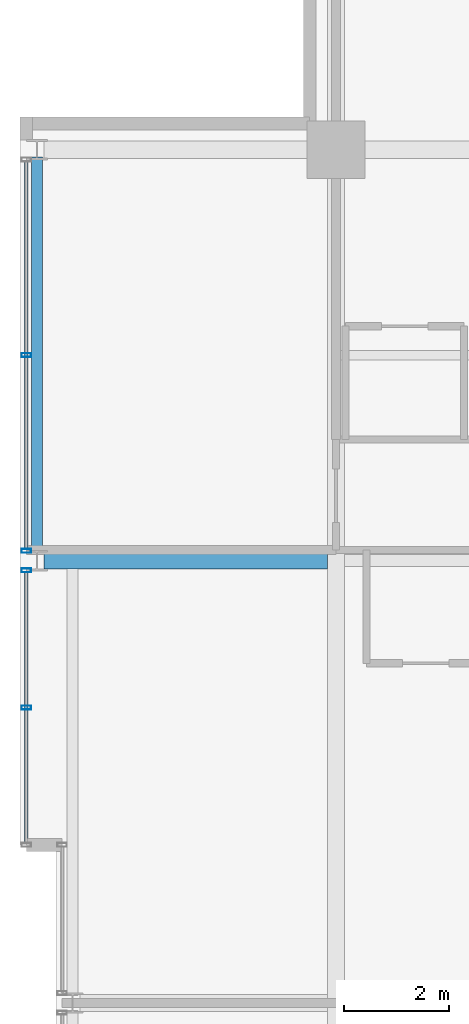
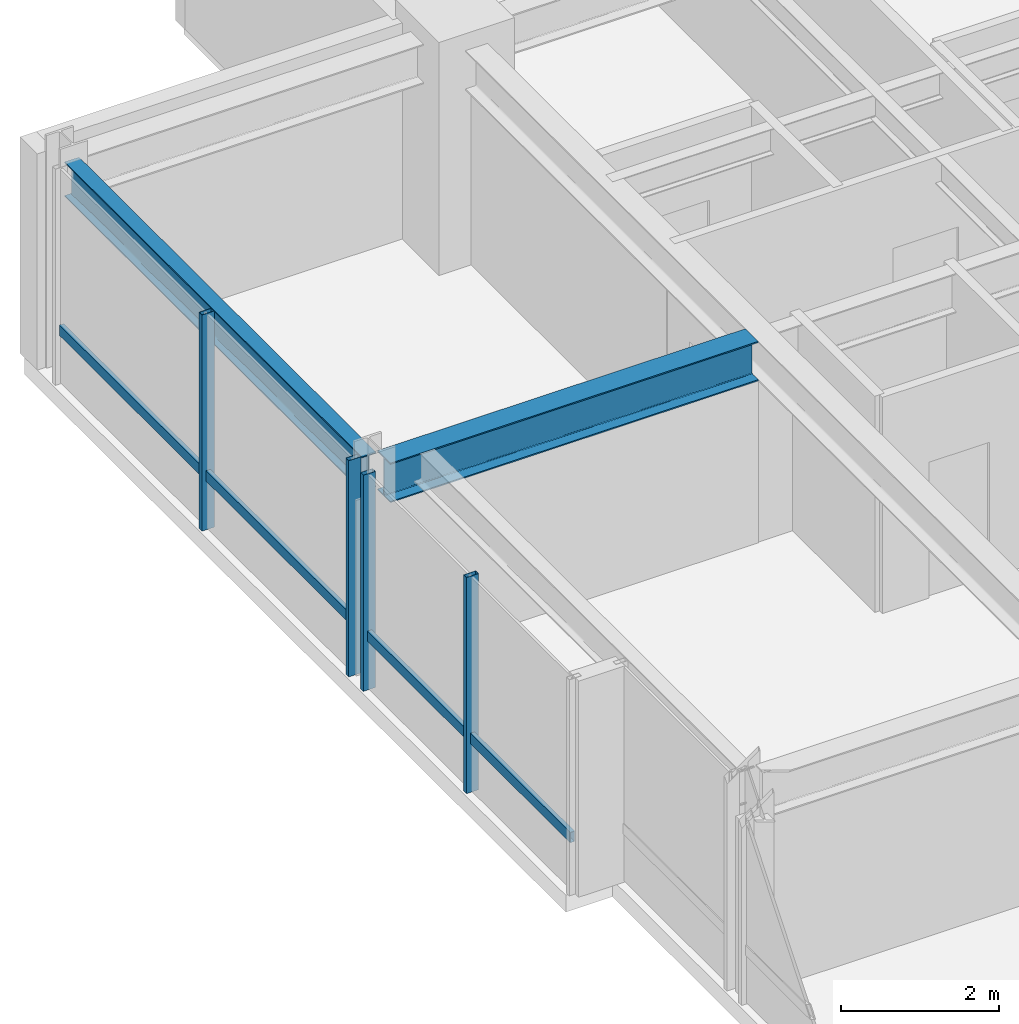
# One storey, part 18 of 34: 6 members, 2 beams, 2 elements without a shape of their own.
"""IFC4 building model written with IfcOpenShell, lengths in metres."""

from ifc_helpers import new_model, si_unit, direction, frame, origin, origin_2d, place, context, subcontext, project, spatial, hollow_rectangle, i_section, extrude, material, layer, layer_set, material_profile, profile_set, type_object, element, aggregate, save


model = new_model("IFC4")

# Units and contexts
model_context = context("Model", 3, precision=1e-05, world=origin(), true_north=direction((0.0, 1.0)))
body_context = subcontext(model_context, "Body", "Model", "MODEL_VIEW")
ifc_project = project(units=[si_unit("LENGTHUNIT", "METRE"), si_unit("AREAUNIT", "SQUARE_METRE"), si_unit("VOLUMEUNIT", "CUBIC_METRE"), si_unit("PLANEANGLEUNIT", "RADIAN"), si_unit("MASSUNIT", "GRAM", prefix="KILO")], contexts=[model_context])

# Site, building, storey
site_placement = place(None, origin())
site = spatial("IfcSite", under=ifc_project, at=site_placement, CompositionType="ELEMENT")
building_placement = place(site_placement, origin())
building = spatial("IfcBuilding", under=site, at=building_placement, Name="Drelvath Grand Hotel", CompositionType="ELEMENT")
storey_placement = place(building_placement, frame((0.0, 0.0, 208.699951171875)))
storey = spatial("IfcBuildingStorey", under=building, at=storey_placement, Name="L54", CompositionType="ELEMENT", Elevation=208.699951171875)

# Curtain wall, member
ifc_material_1 = material(Name="Platinum-Mist Anodised Aluminium Frame", Category="aluminium")
ifc_layer = layer(ifc_material_1, 0.199951171875)
ifc_layer_set = layer_set([ifc_layer], Name="Platinum-Mist Anodised Aluminium Frame")
curtain_wall_type = type_object("IfcCurtainWallType", Name="Stick Curtain Wall CW-05 Platinum Mist High-Rise", PredefinedType="NOTDEFINED", material=ifc_layer_set)
curtain_wall_1_placement = place(storey_placement, origin())
curtain_wall_1 = element("IfcCurtainWall", 1, at=curtain_wall_1_placement, inside=storey, type_object=curtain_wall_type, Name="L54 CW-05 Curtain Wall CW05-L54-WN1", PredefinedType="NOTDEFINED")
ifc_material_profile_1 = material_profile(ifc_material_1, hollow_rectangle(XDim=0.06494140625, YDim=0.159912109375, WallThickness=0.00390625, at=origin_2d()), Name="HSS160X65X4")
ifc_profile_set_1 = profile_set([ifc_material_profile_1], Name="Platinum-Mist Anodised Aluminium Frame")
member_type_1 = type_object("IfcMemberType", Name="Curtain Wall Horizontal Transom CW-05 HSS160X65X4", PredefinedType="USERDEFINED", material=ifc_profile_set_1)
member_1_placement = place(storey_placement, frame((-22.080078125, 30.0400390625, 0.8349609375), z_axis=(0.0, 1.0, 0.0), x_axis=(-1.0, 0.0, 0.0)))
member_1 = element("IfcMember", 2, at=member_1_placement, type_object=member_type_1, Name="CW05-L54-WN1 Sill Transom", ObjectType="TRANSOM", PredefinedType="USERDEFINED", context=body_context, shape_type="SweptSolid", body=[
    extrude(hollow_rectangle(XDim=0.06494140625, YDim=0.159912109375, WallThickness=0.00390625, at=origin_2d()), origin(), (0.0, 0.0, 1.0), 5.134765625),
])

curtain_wall_2_placement = place(storey_placement, origin())
curtain_wall_2 = element("IfcCurtainWall", 3, at=curtain_wall_2_placement, inside=storey, type_object=curtain_wall_type, Name="L54 CW-05 Curtain Wall CW05-L54-WN2", PredefinedType="NOTDEFINED")
member_2_placement = place(storey_placement, frame((-22.080078125, 35.625244140625, 0.8349609375), z_axis=(0.0, 1.0, 0.0), x_axis=(-1.0, 0.0, 0.0)))
member_2 = element("IfcMember", 4, at=member_2_placement, type_object=member_type_1, Name="CW05-L54-WN2 Sill Transom", ObjectType="TRANSOM", PredefinedType="USERDEFINED", context=body_context, shape_type="SweptSolid", body=[
    extrude(hollow_rectangle(XDim=0.06494140625, YDim=0.159912109375, WallThickness=0.00390625, at=origin_2d()), origin(), (0.0, 0.0, 1.0), 7.349365234375),
])

# Member
ifc_material_profile_2 = material_profile(ifc_material_1, hollow_rectangle(XDim=0.074951171875, YDim=0.179931640625, WallThickness=0.0048828125, at=origin_2d()), Name="HSS180X75X5")
ifc_profile_set_2 = profile_set([ifc_material_profile_2], Name="Platinum-Mist Anodised Aluminium Frame")
member_type_2 = type_object("IfcMemberType", Name="Curtain Wall Vertical Mullion CW-05 HSS180X75X5", PredefinedType="MULLION", material=ifc_profile_set_2)
member_3_placement = place(storey_placement, frame((-22.080078125, 32.607421875, 0.0), z_axis=(0.0, 0.0, 1.0), x_axis=(0.0, 1.0, 0.0)))
member_3 = element("IfcMember", 5, at=member_3_placement, type_object=member_type_2, Name="CW05-L54-WN1 Mullion 2", PredefinedType="MULLION", context=body_context, shape_type="SweptSolid", body=[
    extrude(hollow_rectangle(XDim=0.074951171875, YDim=0.179931640625, WallThickness=0.0048828125, at=origin_2d()), origin(), (0.0, 0.0, 1.0), 3.340087890625),
])

member_4_placement = place(storey_placement, frame((-22.080078125, 35.214599609375, 0.0), z_axis=(0.0, 0.0, 1.0), x_axis=(0.0, 1.0, 0.0)))
member_4 = element("IfcMember", 6, at=member_4_placement, type_object=member_type_2, Name="CW05-L54-WN1 Mullion 3", PredefinedType="MULLION", context=body_context, shape_type="SweptSolid", body=[
    extrude(hollow_rectangle(XDim=0.074951171875, YDim=0.179931640625, WallThickness=0.0048828125, at=origin_2d()), origin(), (0.0, 0.0, 1.0), 3.340087890625),
])

aggregate(curtain_wall_1, [member_3, member_4, member_1])

member_5_placement = place(storey_placement, frame((-22.080078125, 35.585205078125, 0.0), z_axis=(0.0, 0.0, 1.0), x_axis=(0.0, 1.0, 0.0)))
member_5 = element("IfcMember", 7, at=member_5_placement, type_object=member_type_2, Name="CW05-L54-WN2 Mullion 1", PredefinedType="MULLION", context=body_context, shape_type="SweptSolid", body=[
    extrude(hollow_rectangle(XDim=0.074951171875, YDim=0.179931640625, WallThickness=0.0048828125, at=origin_2d()), origin(), (0.0, 0.0, 1.0), 3.340087890625),
])

member_6_placement = place(storey_placement, frame((-22.080078125, 39.300048828125, 0.0), z_axis=(0.0, 0.0, 1.0), x_axis=(0.0, 1.0, 0.0)))
member_6 = element("IfcMember", 8, at=member_6_placement, type_object=member_type_2, Name="CW05-L54-WN2 Mullion 2", PredefinedType="MULLION", context=body_context, shape_type="SweptSolid", body=[
    extrude(hollow_rectangle(XDim=0.074951171875, YDim=0.179931640625, WallThickness=0.0048828125, at=origin_2d()), origin(), (0.0, 0.0, 1.0), 3.340087890625),
])

aggregate(curtain_wall_2, [member_5, member_6, member_2])

# Beams
ifc_material_2 = material(Name="Steel ASTM A992 Gr 50", Category="steel")
ifc_material_profile_3 = material_profile(ifc_material_2, i_section(OverallWidth=0.210205078125, OverallDepth=0.53662109375, WebThickness=0.010986328125, FlangeThickness=0.017333984375, FilletRadius=0.01806640625, at=origin_2d()), Name="W21X68")
ifc_profile_set_3 = profile_set([ifc_material_profile_3], Name="Steel ASTM A992 Gr 50")
beam_type_1 = type_object("IfcBeamType", Name="Perimeter Spandrel Beam W21X68", PredefinedType="SPANDREL", material=ifc_profile_set_3)
beam_1_placement = place(storey_placement, frame((-21.8798828125, 35.5400390625, 3.071533203125), z_axis=(0.0, 1.0, 0.0), x_axis=(-1.0, 0.0, 0.0)))
element("IfcBeam", 9, at=beam_1_placement, inside=storey, type_object=beam_type_1, Name="L54 Spandrel West N", PredefinedType="SPANDREL", context=body_context, shape_type="SweptSolid", body=[
    extrude(i_section(OverallWidth=0.210205078125, OverallDepth=0.53662109375, WebThickness=0.010986328125, FlangeThickness=0.017333984375, FilletRadius=0.01806640625, at=origin_2d()), origin(), (0.0, 0.0, 1.0), 7.52001953125),
])
ifc_material_profile_4 = material_profile(ifc_material_2, i_section(OverallWidth=0.323974609375, OverallDepth=0.611083984375, WebThickness=0.0126953125, FlangeThickness=0.01904296875, FilletRadius=0.02197265625, at=origin_2d()), Name="W24X104")
ifc_profile_set_4 = profile_set([ifc_material_profile_4], Name="Steel ASTM A992 Gr 50")
beam_type_2 = type_object("IfcBeamType", Name="Primary Floor Girder W24X104", PredefinedType="BEAM", material=ifc_profile_set_4)
beam_2_placement = place(storey_placement, frame((-21.739990234375, 35.39990234375, 3.034423828125), z_axis=(1.0, 0.0, 0.0), x_axis=(0.0, 1.0, 0.0)))
element("IfcBeam", 10, at=beam_2_placement, inside=storey, type_object=beam_type_2, Name="L54 West Wing Girder F", PredefinedType="BEAM", context=body_context, shape_type="SweptSolid", body=[
    extrude(i_section(OverallWidth=0.323974609375, OverallDepth=0.611083984375, WebThickness=0.0126953125, FlangeThickness=0.01904296875, FilletRadius=0.02197265625, at=origin_2d()), origin(), (0.0, 0.0, 1.0), 5.3779296875),
])

save(model, "model.ifc")
